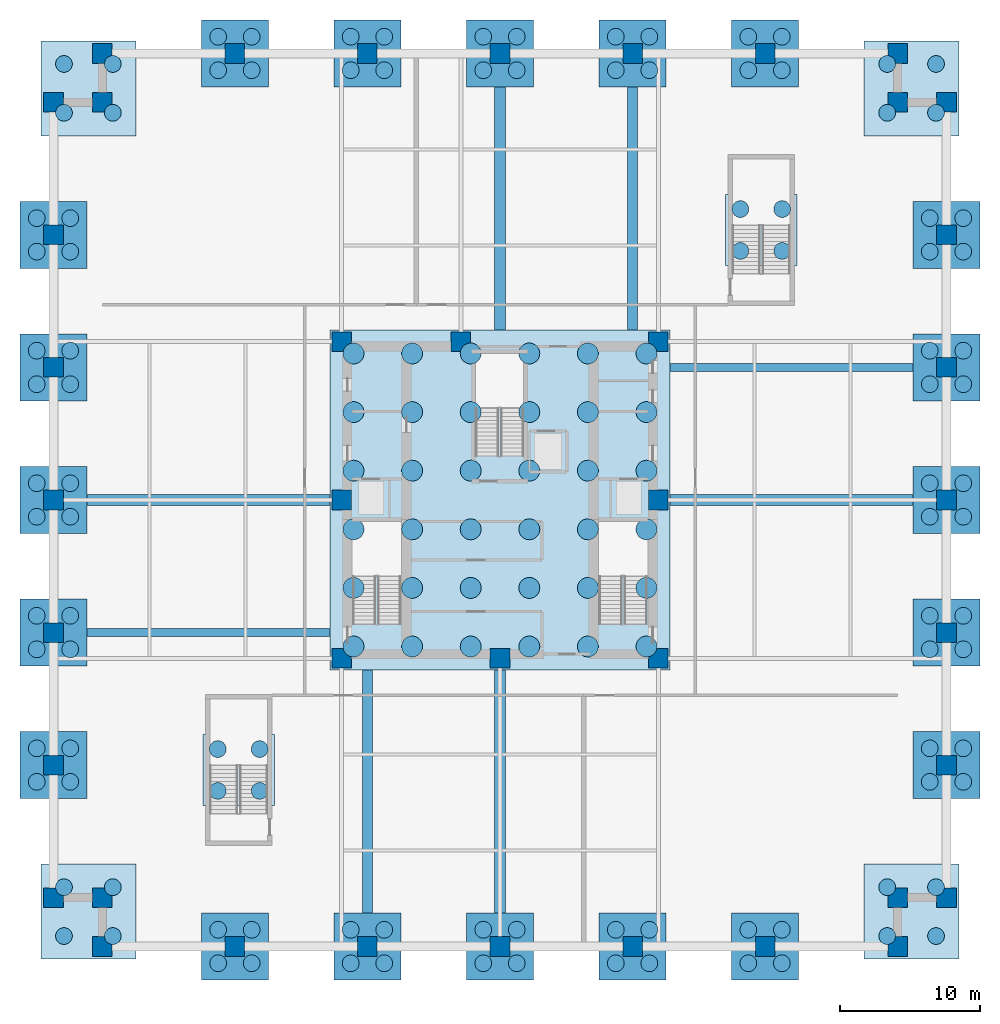
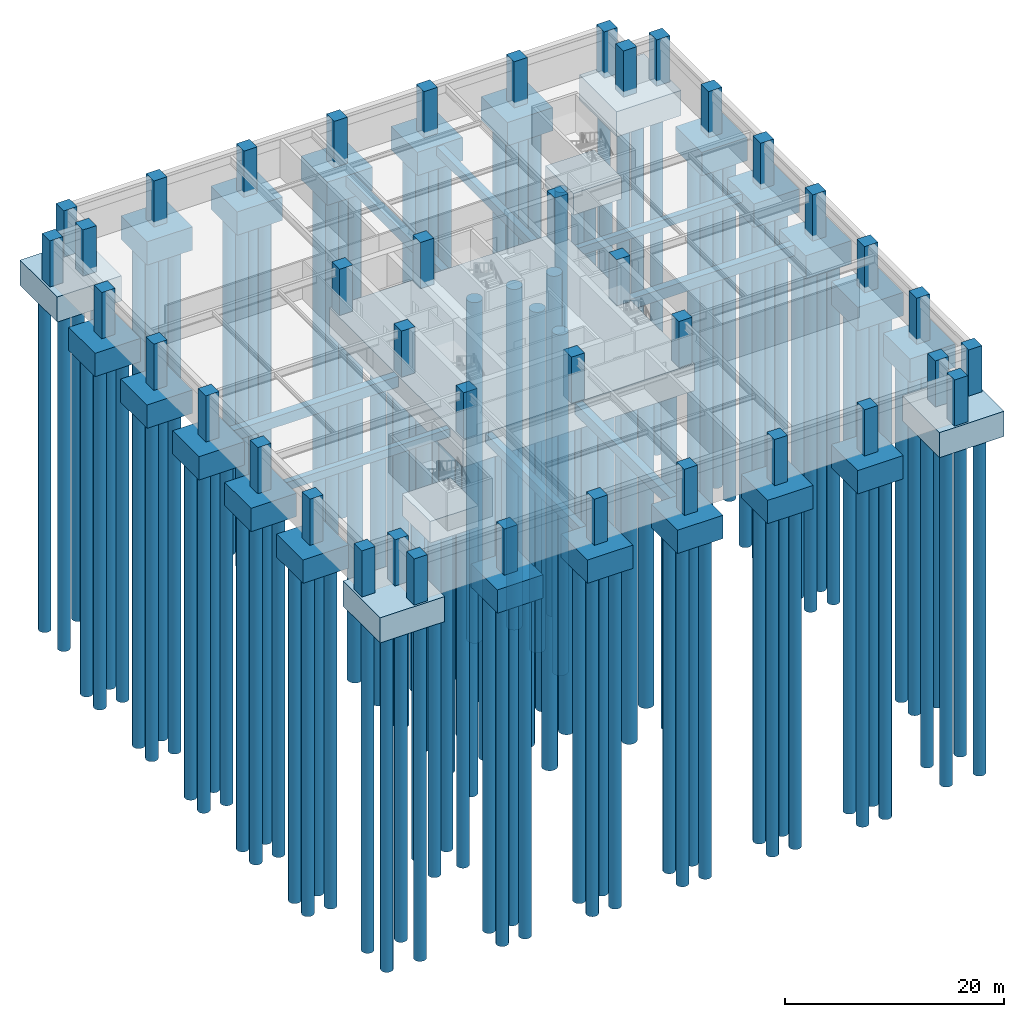
# One storey, part 1 of 8: 140 piles, 40 columns, 35 footings.
"""IFC4 building model written with IfcOpenShell, lengths in metres."""

from ifc_helpers import new_model, si_unit, direction, frame, origin, origin_2d, place, context, subcontext, project, spatial, rectangle, circle, extrude, material, material_profile, profile_set, type_object, element, save


model = new_model("IFC4")

# Units and contexts
model_context = context("Model", 3, precision=1e-05, world=origin(), true_north=direction((0.0, 1.0)))
body_context = subcontext(model_context, "Body", "Model", "MODEL_VIEW")
ifc_project = project(units=[si_unit("LENGTHUNIT", "METRE"), si_unit("AREAUNIT", "SQUARE_METRE"), si_unit("VOLUMEUNIT", "CUBIC_METRE"), si_unit("PLANEANGLEUNIT", "RADIAN"), si_unit("MASSUNIT", "GRAM", prefix="KILO")], contexts=[model_context])

# Site, building, storey
site_placement = place(None, origin())
site = spatial("IfcSite", under=ifc_project, at=site_placement, CompositionType="ELEMENT")
building_placement = place(site_placement, origin())
building = spatial("IfcBuilding", under=site, at=building_placement, Name="Nhamokura Convention Tower", CompositionType="ELEMENT")
storey_placement = place(building_placement, frame((0.0, 0.0, -9.10009765625)))
storey = spatial("IfcBuildingStorey", under=building, at=storey_placement, Name="B02", CompositionType="ELEMENT", Elevation=-9.10009765625)

# Piles
ifc_material_1 = material(Name="Concrete C45/55", Category="concrete")
ifc_material_profile_1 = material_profile(ifc_material_1, circle(Radius=0.60009765625, at=origin_2d()))
ifc_profile_set_1 = profile_set([ifc_material_profile_1], Name="Concrete C45/55")
pile_type_1 = type_object("IfcPileType", Name="BoredPile_1200", PredefinedType="BORED", material=ifc_profile_set_1)
for number, where, z_axis, x_axis, name in (
    (1, (0.75, 0.75, -3.2998046875), (0.0, 0.0, -1.0), (1.0, 0.0, 0.0), "Corner Bored Pile BP-02-037"),
    (2, (0.75, 4.25, -3.2998046875), (0.0, 0.0, -1.0), (1.0, 0.0, 0.0), "Corner Bored Pile BP-02-038"),
    (3, (4.25, 0.75, -3.2998046875), (0.0, 0.0, -1.0), (1.0, 0.0, 0.0), "Corner Bored Pile BP-02-039"),
    (4, (4.25, 4.25, -3.2998046875), (0.0, 0.0, -1.0), (1.0, 0.0, 0.0), "Corner Bored Pile BP-02-040"),
    (5, (59.75, 0.75, -3.2998046875), (0.0, 0.0, -1.0), (1.0, 0.0, 0.0), "Corner Bored Pile BP-02-041"),
    (6, (59.75, 4.25, -3.2998046875), (0.0, 0.0, -1.0), (1.0, 0.0, 0.0), "Corner Bored Pile BP-02-042"),
    (7, (63.25, 0.75, -3.2998046875), (0.0, 0.0, -1.0), (1.0, 0.0, 0.0), "Corner Bored Pile BP-02-043"),
    (8, (63.25, 4.25, -3.2998046875), (0.0, 0.0, -1.0), (1.0, 0.0, 0.0), "Corner Bored Pile BP-02-044"),
    (9, (59.75, 59.75, -3.2998046875), (0.0, 0.0, -1.0), (1.0, 0.0, 0.0), "Corner Bored Pile BP-02-045"),
    (10, (59.75, 63.25, -3.2998046875), (0.0, 0.0, -1.0), (1.0, 0.0, 0.0), "Corner Bored Pile BP-02-046"),
    (11, (63.25, 59.75, -3.2998046875), (0.0, 0.0, -1.0), (1.0, 0.0, 0.0), "Corner Bored Pile BP-02-047"),
    (12, (63.25, 63.25, -3.2998046875), (0.0, 0.0, -1.0), (1.0, 0.0, 0.0), "Corner Bored Pile BP-02-048"),
    (13, (0.75, 59.75, -3.2998046875), (0.0, 0.0, -1.0), (1.0, 0.0, 0.0), "Corner Bored Pile BP-02-049"),
    (14, (0.75, 63.25, -3.2998046875), (0.0, 0.0, -1.0), (1.0, 0.0, 0.0), "Corner Bored Pile BP-02-050"),
    (15, (4.25, 59.75, -3.2998046875), (0.0, 0.0, -1.0), (1.0, 0.0, 0.0), "Corner Bored Pile BP-02-051"),
    (16, (4.25, 63.25, -3.2998046875), (0.0, 0.0, -1.0), (1.0, 0.0, 0.0), "Corner Bored Pile BP-02-052"),
    (17, (11.800048828125, -1.199951171875, -3.099853515625), (0.0, 0.0, -1.0), (1.0, 0.0, 0.0), "Perimeter Bored Pile BP-02-053"),
    (18, (11.800048828125, 1.199951171875, -3.099853515625), (0.0, 0.0, -1.0), (1.0, 0.0, 0.0), "Perimeter Bored Pile BP-02-054"),
    (19, (14.199951171875, -1.199951171875, -3.099853515625), (0.0, 0.0, -1.0), (1.0, 0.0, 0.0), "Perimeter Bored Pile BP-02-055"),
    (20, (14.199951171875, 1.199951171875, -3.099853515625), (0.0, 0.0, -1.0), (1.0, 0.0, 0.0), "Perimeter Bored Pile BP-02-056"),
    (21, (11.800048828125, 62.800048828125, -3.099853515625), (0.0, 0.0, -1.0), (1.0, 0.0, 0.0), "Perimeter Bored Pile BP-02-057"),
    (22, (11.800048828125, 65.199951171875, -3.099853515625), (0.0, 0.0, -1.0), (1.0, 0.0, 0.0), "Perimeter Bored Pile BP-02-058"),
    (23, (14.199951171875, 62.800048828125, -3.099853515625), (0.0, 0.0, -1.0), (1.0, 0.0, 0.0), "Perimeter Bored Pile BP-02-059"),
    (24, (14.199951171875, 65.199951171875, -3.099853515625), (0.0, 0.0, -1.0), (1.0, 0.0, 0.0), "Perimeter Bored Pile BP-02-060"),
    (25, (-1.199951171875, 11.800048828125, -3.099853515625), (0.0, 0.0, -1.0), (1.0, 0.0, 0.0), "Perimeter Bored Pile BP-02-061"),
    (26, (-1.199951171875, 14.199951171875, -3.099853515625), (0.0, 0.0, -1.0), (1.0, 0.0, 0.0), "Perimeter Bored Pile BP-02-062"),
    (27, (1.199951171875, 11.800048828125, -3.099853515625), (0.0, 0.0, -1.0), (1.0, 0.0, 0.0), "Perimeter Bored Pile BP-02-063"),
    (28, (1.199951171875, 14.199951171875, -3.099853515625), (0.0, 0.0, -1.0), (1.0, 0.0, 0.0), "Perimeter Bored Pile BP-02-064"),
    (29, (62.800048828125, 11.800048828125, -3.099853515625), (0.0, 0.0, -1.0), (1.0, 0.0, 0.0), "Perimeter Bored Pile BP-02-065"),
    (30, (62.800048828125, 14.199951171875, -3.099853515625), (0.0, 0.0, -1.0), (1.0, 0.0, 0.0), "Perimeter Bored Pile BP-02-066"),
    (31, (65.199951171875, 11.800048828125, -3.099853515625), (0.0, 0.0, -1.0), (1.0, 0.0, 0.0), "Perimeter Bored Pile BP-02-067"),
    (32, (65.199951171875, 14.199951171875, -3.099853515625), (0.0, 0.0, -1.0), (1.0, 0.0, 0.0), "Perimeter Bored Pile BP-02-068"),
    (33, (21.300048828125, -1.199951171875, -3.099853515625), (0.0, 0.0, -1.0), (1.0, 0.0, 0.0), "Perimeter Bored Pile BP-02-069"),
    (34, (21.300048828125, 1.199951171875, -3.099853515625), (0.0, 0.0, -1.0), (1.0, 0.0, 0.0), "Perimeter Bored Pile BP-02-070"),
    (35, (23.699951171875, -1.199951171875, -3.099853515625), (0.0, 0.0, -1.0), (1.0, 0.0, 0.0), "Perimeter Bored Pile BP-02-071"),
    (36, (23.699951171875, 1.199951171875, -3.099853515625), (0.0, 0.0, -1.0), (1.0, 0.0, 0.0), "Perimeter Bored Pile BP-02-072"),
    (37, (21.300048828125, 62.800048828125, -3.099853515625), (0.0, 0.0, -1.0), (1.0, 0.0, 0.0), "Perimeter Bored Pile BP-02-073"),
    (38, (21.300048828125, 65.199951171875, -3.099853515625), (0.0, 0.0, -1.0), (1.0, 0.0, 0.0), "Perimeter Bored Pile BP-02-074"),
    (39, (23.699951171875, 62.800048828125, -3.099853515625), (0.0, 0.0, -1.0), (1.0, 0.0, 0.0), "Perimeter Bored Pile BP-02-075"),
    (40, (23.699951171875, 65.199951171875, -3.099853515625), (0.0, 0.0, -1.0), (1.0, 0.0, 0.0), "Perimeter Bored Pile BP-02-076"),
    (41, (-1.199951171875, 21.300048828125, -3.099853515625), (0.0, 0.0, -1.0), (1.0, 0.0, 0.0), "Perimeter Bored Pile BP-02-077"),
    (42, (-1.199951171875, 23.699951171875, -3.099853515625), (0.0, 0.0, -1.0), (1.0, 0.0, 0.0), "Perimeter Bored Pile BP-02-078"),
    (43, (1.199951171875, 21.300048828125, -3.099853515625), (0.0, 0.0, -1.0), (1.0, 0.0, 0.0), "Perimeter Bored Pile BP-02-079"),
    (44, (1.199951171875, 23.699951171875, -3.099853515625), (0.0, 0.0, -1.0), (1.0, 0.0, 0.0), "Perimeter Bored Pile BP-02-080"),
    (45, (62.800048828125, 21.300048828125, -3.099853515625), (0.0, 0.0, -1.0), (1.0, 0.0, 0.0), "Perimeter Bored Pile BP-02-081"),
    (46, (62.800048828125, 23.699951171875, -3.099853515625), (0.0, 0.0, -1.0), (1.0, 0.0, 0.0), "Perimeter Bored Pile BP-02-082"),
    (47, (65.199951171875, 21.300048828125, -3.099853515625), (0.0, 0.0, -1.0), (1.0, 0.0, 0.0), "Perimeter Bored Pile BP-02-083"),
    (48, (65.199951171875, 23.699951171875, -3.099853515625), (0.0, 0.0, -1.0), (1.0, 0.0, 0.0), "Perimeter Bored Pile BP-02-084"),
    (49, (30.800048828125, -1.199951171875, -3.099853515625), (0.0, 0.0, -1.0), (1.0, 0.0, 0.0), "Perimeter Bored Pile BP-02-085"),
    (50, (30.800048828125, 1.199951171875, -3.099853515625), (0.0, 0.0, -1.0), (1.0, 0.0, 0.0), "Perimeter Bored Pile BP-02-086"),
    (51, (33.199951171875, -1.199951171875, -3.099853515625), (0.0, 0.0, -1.0), (1.0, 0.0, 0.0), "Perimeter Bored Pile BP-02-087"),
    (52, (33.199951171875, 1.199951171875, -3.099853515625), (0.0, 0.0, -1.0), (1.0, 0.0, 0.0), "Perimeter Bored Pile BP-02-088"),
    (53, (30.800048828125, 62.800048828125, -3.099853515625), (0.0, 0.0, -1.0), (1.0, 0.0, 0.0), "Perimeter Bored Pile BP-02-089"),
    (54, (30.800048828125, 65.199951171875, -3.099853515625), (0.0, 0.0, -1.0), (1.0, 0.0, 0.0), "Perimeter Bored Pile BP-02-090"),
    (55, (33.199951171875, 62.800048828125, -3.099853515625), (0.0, 0.0, -1.0), (1.0, 0.0, 0.0), "Perimeter Bored Pile BP-02-091"),
    (56, (33.199951171875, 65.199951171875, -3.099853515625), (0.0, 0.0, -1.0), (1.0, 0.0, 0.0), "Perimeter Bored Pile BP-02-092"),
    (57, (-1.199951171875, 30.800048828125, -3.099853515625), (0.0, 0.0, -1.0), (1.0, 0.0, 0.0), "Perimeter Bored Pile BP-02-093"),
    (58, (-1.199951171875, 33.199951171875, -3.099853515625), (0.0, 0.0, -1.0), (1.0, 0.0, 0.0), "Perimeter Bored Pile BP-02-094"),
    (59, (1.199951171875, 30.800048828125, -3.099853515625), (0.0, 0.0, -1.0), (1.0, 0.0, 0.0), "Perimeter Bored Pile BP-02-095"),
    (60, (1.199951171875, 33.199951171875, -3.099853515625), (0.0, 0.0, -1.0), (1.0, 0.0, 0.0), "Perimeter Bored Pile BP-02-096"),
    (61, (62.800048828125, 30.800048828125, -3.099853515625), (0.0, 0.0, -1.0), (1.0, 0.0, 0.0), "Perimeter Bored Pile BP-02-097"),
    (62, (62.800048828125, 33.199951171875, -3.099853515625), (0.0, 0.0, -1.0), (1.0, 0.0, 0.0), "Perimeter Bored Pile BP-02-098"),
    (63, (65.199951171875, 30.800048828125, -3.099853515625), (0.0, 0.0, -1.0), (1.0, 0.0, 0.0), "Perimeter Bored Pile BP-02-099"),
    (64, (65.199951171875, 33.199951171875, -3.099853515625), (0.0, 0.0, -1.0), (1.0, 0.0, 0.0), "Perimeter Bored Pile BP-02-100"),
    (65, (40.300048828125, -1.199951171875, -3.099853515625), (0.0, 0.0, -1.0), (1.0, 0.0, 0.0), "Perimeter Bored Pile BP-02-101"),
    (66, (40.300048828125, 1.199951171875, -3.099853515625), (0.0, 0.0, -1.0), (1.0, 0.0, 0.0), "Perimeter Bored Pile BP-02-102"),
    (67, (42.699951171875, -1.199951171875, -3.099853515625), (0.0, 0.0, -1.0), (1.0, 0.0, 0.0), "Perimeter Bored Pile BP-02-103"),
    (68, (42.699951171875, 1.199951171875, -3.099853515625), (0.0, 0.0, -1.0), (1.0, 0.0, 0.0), "Perimeter Bored Pile BP-02-104"),
    (69, (40.300048828125, 62.800048828125, -3.099853515625), (0.0, 0.0, -1.0), (1.0, 0.0, 0.0), "Perimeter Bored Pile BP-02-105"),
    (70, (40.300048828125, 65.199951171875, -3.099853515625), (0.0, 0.0, -1.0), (1.0, 0.0, 0.0), "Perimeter Bored Pile BP-02-106"),
    (71, (42.699951171875, 62.800048828125, -3.099853515625), (0.0, 0.0, -1.0), (1.0, 0.0, 0.0), "Perimeter Bored Pile BP-02-107"),
    (72, (42.699951171875, 65.199951171875, -3.099853515625), (0.0, 0.0, -1.0), (1.0, 0.0, 0.0), "Perimeter Bored Pile BP-02-108"),
    (73, (-1.199951171875, 40.300048828125, -3.099853515625), (0.0, 0.0, -1.0), (1.0, 0.0, 0.0), "Perimeter Bored Pile BP-02-109"),
    (74, (-1.199951171875, 42.699951171875, -3.099853515625), (0.0, 0.0, -1.0), (1.0, 0.0, 0.0), "Perimeter Bored Pile BP-02-110"),
    (75, (1.199951171875, 40.300048828125, -3.099853515625), (0.0, 0.0, -1.0), (1.0, 0.0, 0.0), "Perimeter Bored Pile BP-02-111"),
    (76, (1.199951171875, 42.699951171875, -3.099853515625), (0.0, 0.0, -1.0), (1.0, 0.0, 0.0), "Perimeter Bored Pile BP-02-112"),
    (77, (62.800048828125, 40.300048828125, -3.099853515625), (0.0, 0.0, -1.0), (1.0, 0.0, 0.0), "Perimeter Bored Pile BP-02-113"),
    (78, (62.800048828125, 42.699951171875, -3.099853515625), (0.0, 0.0, -1.0), (1.0, 0.0, 0.0), "Perimeter Bored Pile BP-02-114"),
    (79, (65.199951171875, 40.300048828125, -3.099853515625), (0.0, 0.0, -1.0), (1.0, 0.0, 0.0), "Perimeter Bored Pile BP-02-115"),
    (80, (65.199951171875, 42.699951171875, -3.099853515625), (0.0, 0.0, -1.0), (1.0, 0.0, 0.0), "Perimeter Bored Pile BP-02-116"),
    (81, (49.800048828125, -1.199951171875, -3.099853515625), (0.0, 0.0, -1.0), (1.0, 0.0, 0.0), "Perimeter Bored Pile BP-02-117"),
    (82, (49.800048828125, 1.199951171875, -3.099853515625), (0.0, 0.0, -1.0), (1.0, 0.0, 0.0), "Perimeter Bored Pile BP-02-118"),
    (83, (52.199951171875, -1.199951171875, -3.099853515625), (0.0, 0.0, -1.0), (1.0, 0.0, 0.0), "Perimeter Bored Pile BP-02-119"),
    (84, (52.199951171875, 1.199951171875, -3.099853515625), (0.0, 0.0, -1.0), (1.0, 0.0, 0.0), "Perimeter Bored Pile BP-02-120"),
    (85, (49.800048828125, 62.800048828125, -3.099853515625), (0.0, 0.0, -1.0), (1.0, 0.0, 0.0), "Perimeter Bored Pile BP-02-121"),
    (86, (49.800048828125, 65.199951171875, -3.099853515625), (0.0, 0.0, -1.0), (1.0, 0.0, 0.0), "Perimeter Bored Pile BP-02-122"),
    (87, (52.199951171875, 62.800048828125, -3.099853515625), (0.0, 0.0, -1.0), (1.0, 0.0, 0.0), "Perimeter Bored Pile BP-02-123"),
    (88, (52.199951171875, 65.199951171875, -3.099853515625), (0.0, 0.0, -1.0), (1.0, 0.0, 0.0), "Perimeter Bored Pile BP-02-124"),
    (89, (-1.199951171875, 49.800048828125, -3.099853515625), (0.0, 0.0, -1.0), (1.0, 0.0, 0.0), "Perimeter Bored Pile BP-02-125"),
    (90, (-1.199951171875, 52.199951171875, -3.099853515625), (0.0, 0.0, -1.0), (1.0, 0.0, 0.0), "Perimeter Bored Pile BP-02-126"),
    (91, (1.199951171875, 49.800048828125, -3.099853515625), (0.0, 0.0, -1.0), (1.0, 0.0, 0.0), "Perimeter Bored Pile BP-02-127"),
    (92, (1.199951171875, 52.199951171875, -3.099853515625), (0.0, 0.0, -1.0), (1.0, 0.0, 0.0), "Perimeter Bored Pile BP-02-128"),
    (93, (62.800048828125, 49.800048828125, -3.099853515625), (0.0, 0.0, -1.0), (1.0, 0.0, 0.0), "Perimeter Bored Pile BP-02-129"),
    (94, (62.800048828125, 52.199951171875, -3.099853515625), (0.0, 0.0, -1.0), (1.0, 0.0, 0.0), "Perimeter Bored Pile BP-02-130"),
    (95, (65.199951171875, 49.800048828125, -3.099853515625), (0.0, 0.0, -1.0), (1.0, 0.0, 0.0), "Perimeter Bored Pile BP-02-131"),
    (96, (65.199951171875, 52.199951171875, -3.099853515625), (0.0, 0.0, -1.0), (1.0, 0.0, 0.0), "Perimeter Bored Pile BP-02-132"),
    (97, (11.77490234375, 11.14990234375, -2.89990234375), (0.0, 0.0, -1.0), (1.0, 0.0, 0.0), "Podium Wing Bored Pile BP-02-133"),
    (98, (11.77490234375, 14.14990234375, -2.89990234375), (0.0, 0.0, -1.0), (1.0, 0.0, 0.0), "Podium Wing Bored Pile BP-02-134"),
    (99, (14.77490234375, 11.14990234375, -2.89990234375), (0.0, 0.0, -1.0), (1.0, 0.0, 0.0), "Podium Wing Bored Pile BP-02-135"),
    (100, (14.77490234375, 14.14990234375, -2.89990234375), (0.0, 0.0, -1.0), (1.0, 0.0, 0.0), "Podium Wing Bored Pile BP-02-136"),
    (101, (49.22509765625, 49.85009765625, -2.89990234375), (0.0, 0.0, -1.0), (1.0, 0.0, 0.0), "Podium Wing Bored Pile BP-02-137"),
    (102, (49.22509765625, 52.85009765625, -2.89990234375), (0.0, 0.0, -1.0), (1.0, 0.0, 0.0), "Podium Wing Bored Pile BP-02-138"),
    (103, (52.22509765625, 49.85009765625, -2.89990234375), (0.0, 0.0, -1.0), (1.0, 0.0, 0.0), "Podium Wing Bored Pile BP-02-139"),
    (104, (52.22509765625, 52.85009765625, -2.89990234375), (0.0, 0.0, -1.0), (1.0, 0.0, 0.0), "Podium Wing Bored Pile BP-02-140"),
):
    element("IfcPile", number, at=place(storey_placement, frame(where, z_axis=z_axis, x_axis=x_axis)), inside=storey, type_object=pile_type_1, Name=name, PredefinedType="BORED", context=body_context, shape_type="SweptSolid", body=[
        extrude(circle(Radius=0.60009765625, at=origin_2d()), origin(), (0.0, 0.0, 1.0), 38.0),
    ])
ifc_material_2 = material(Name="Concrete C45/55", Category="concrete")
ifc_material_profile_2 = material_profile(ifc_material_2, circle(Radius=0.75, at=origin_2d()))
ifc_profile_set_2 = profile_set([ifc_material_profile_2], Name="Concrete C45/55")
pile_type_2 = type_object("IfcPileType", Name="BoredPile_1500", PredefinedType="BORED", material=ifc_profile_set_2)
for number, where, z_axis, x_axis, name in (
    (105, (21.5, 21.5, -3.5), (0.0, 0.0, -1.0), (1.0, 0.0, 0.0), "Core Bored Pile BP-01-001"),
    (106, (21.5, 25.699951171875, -3.5), (0.0, 0.0, -1.0), (1.0, 0.0, 0.0), "Core Bored Pile BP-01-002"),
    (107, (21.5, 29.89990234375, -3.5), (0.0, 0.0, -1.0), (1.0, 0.0, 0.0), "Core Bored Pile BP-01-003"),
    (108, (21.5, 34.10009765625, -3.5), (0.0, 0.0, -1.0), (1.0, 0.0, 0.0), "Core Bored Pile BP-01-004"),
    (109, (21.5, 38.300048828125, -3.5), (0.0, 0.0, -1.0), (1.0, 0.0, 0.0), "Core Bored Pile BP-01-005"),
    (110, (21.5, 42.5, -3.5), (0.0, 0.0, -1.0), (1.0, 0.0, 0.0), "Core Bored Pile BP-01-006"),
    (111, (25.699951171875, 21.5, -3.5), (0.0, 0.0, -1.0), (1.0, 0.0, 0.0), "Core Bored Pile BP-01-007"),
    (112, (25.699951171875, 25.699951171875, -3.5), (0.0, 0.0, -1.0), (1.0, 0.0, 0.0), "Core Bored Pile BP-01-008"),
    (113, (25.699951171875, 29.89990234375, -3.5), (0.0, 0.0, -1.0), (1.0, 0.0, 0.0), "Core Bored Pile BP-01-009"),
    (114, (25.699951171875, 34.10009765625, -3.5), (0.0, 0.0, -1.0), (1.0, 0.0, 0.0), "Core Bored Pile BP-01-010"),
    (115, (25.699951171875, 38.300048828125, -3.5), (0.0, 0.0, -1.0), (1.0, 0.0, 0.0), "Core Bored Pile BP-01-011"),
    (116, (25.699951171875, 42.5, -3.5), (0.0, 0.0, -1.0), (1.0, 0.0, 0.0), "Core Bored Pile BP-01-012"),
    (117, (29.89990234375, 21.5, -3.5), (0.0, 0.0, -1.0), (1.0, 0.0, 0.0), "Core Bored Pile BP-01-013"),
    (118, (29.89990234375, 25.699951171875, -3.5), (0.0, 0.0, -1.0), (1.0, 0.0, 0.0), "Core Bored Pile BP-01-014"),
    (119, (29.89990234375, 29.89990234375, -3.5), (0.0, 0.0, -1.0), (1.0, 0.0, 0.0), "Core Bored Pile BP-01-015"),
    (120, (29.89990234375, 34.10009765625, -3.5), (0.0, 0.0, -1.0), (1.0, 0.0, 0.0), "Core Bored Pile BP-01-016"),
    (121, (29.89990234375, 38.300048828125, -3.5), (0.0, 0.0, -1.0), (1.0, 0.0, 0.0), "Core Bored Pile BP-01-017"),
    (122, (29.89990234375, 42.5, -3.5), (0.0, 0.0, -1.0), (1.0, 0.0, 0.0), "Core Bored Pile BP-01-018"),
    (123, (34.10009765625, 21.5, -3.5), (0.0, 0.0, -1.0), (1.0, 0.0, 0.0), "Core Bored Pile BP-01-019"),
    (124, (34.10009765625, 25.699951171875, -3.5), (0.0, 0.0, -1.0), (1.0, 0.0, 0.0), "Core Bored Pile BP-01-020"),
    (125, (34.10009765625, 29.89990234375, -3.5), (0.0, 0.0, -1.0), (1.0, 0.0, 0.0), "Core Bored Pile BP-01-021"),
    (126, (34.10009765625, 34.10009765625, -3.5), (0.0, 0.0, -1.0), (1.0, 0.0, 0.0), "Core Bored Pile BP-01-022"),
    (127, (34.10009765625, 38.300048828125, -3.5), (0.0, 0.0, -1.0), (1.0, 0.0, 0.0), "Core Bored Pile BP-01-023"),
    (128, (34.10009765625, 42.5, -3.5), (0.0, 0.0, -1.0), (1.0, 0.0, 0.0), "Core Bored Pile BP-01-024"),
    (129, (38.300048828125, 21.5, -3.5), (0.0, 0.0, -1.0), (1.0, 0.0, 0.0), "Core Bored Pile BP-01-025"),
    (130, (38.300048828125, 25.699951171875, -3.5), (0.0, 0.0, -1.0), (1.0, 0.0, 0.0), "Core Bored Pile BP-01-026"),
    (131, (38.300048828125, 29.89990234375, -3.5), (0.0, 0.0, -1.0), (1.0, 0.0, 0.0), "Core Bored Pile BP-01-027"),
    (132, (38.300048828125, 34.10009765625, -3.5), (0.0, 0.0, -1.0), (1.0, 0.0, 0.0), "Core Bored Pile BP-01-028"),
    (133, (38.300048828125, 38.300048828125, -3.5), (0.0, 0.0, -1.0), (1.0, 0.0, 0.0), "Core Bored Pile BP-01-029"),
    (134, (38.300048828125, 42.5, -3.5), (0.0, 0.0, -1.0), (1.0, 0.0, 0.0), "Core Bored Pile BP-01-030"),
    (135, (42.5, 21.5, -3.5), (0.0, 0.0, -1.0), (1.0, 0.0, 0.0), "Core Bored Pile BP-01-031"),
    (136, (42.5, 25.699951171875, -3.5), (0.0, 0.0, -1.0), (1.0, 0.0, 0.0), "Core Bored Pile BP-01-032"),
    (137, (42.5, 29.89990234375, -3.5), (0.0, 0.0, -1.0), (1.0, 0.0, 0.0), "Core Bored Pile BP-01-033"),
    (138, (42.5, 34.10009765625, -3.5), (0.0, 0.0, -1.0), (1.0, 0.0, 0.0), "Core Bored Pile BP-01-034"),
    (139, (42.5, 38.300048828125, -3.5), (0.0, 0.0, -1.0), (1.0, 0.0, 0.0), "Core Bored Pile BP-01-035"),
    (140, (42.5, 42.5, -3.5), (0.0, 0.0, -1.0), (1.0, 0.0, 0.0), "Core Bored Pile BP-01-036"),
):
    element("IfcPile", number, at=place(storey_placement, frame(where, z_axis=z_axis, x_axis=x_axis)), inside=storey, type_object=pile_type_2, Name=name, PredefinedType="BORED", context=body_context, shape_type="SweptSolid", body=[
        extrude(circle(Radius=0.75, at=origin_2d()), origin(), (0.0, 0.0, 1.0), 38.0),
    ])

# Footings
ifc_material_3 = material(Name="Concrete C50/60", Category="concrete")
footing_type_1 = type_object("IfcFootingType", Name="CoreCellularCap_24x24", PredefinedType="PILE_CAP", material=ifc_material_3)
footing_placement = place(storey_placement, frame((32.0, 32.0, -3.599853515625), z_axis=(0.0, 0.0, 1.0), x_axis=(1.0, 0.0, 0.0)))
element("IfcFooting", 141, at=footing_placement, inside=storey, type_object=footing_type_1, Name="Central Core Cellular Pile Cap FC-01", PredefinedType="PILE_CAP", context=body_context, shape_type="SweptSolid", body=[
    extrude(rectangle(XDim=24.39990234375, YDim=24.39990234375, at=origin_2d()), origin(), (0.0, 0.0, 1.0), 3.0),
])
ifc_material_4 = material(Name="Concrete C50/60", Category="concrete")
footing_type_2 = type_object("IfcFootingType", Name="CornerMegaCap_5400", PredefinedType="PILE_CAP", material=ifc_material_4)
for number, where, z_axis, x_axis, name in (
    (142, (2.5, 2.5, -3.39990234375), (0.0, 0.0, 1.0), (1.0, 0.0, 0.0), "Corner Mega Pile Cap SW"),
    (143, (61.5, 2.5, -3.39990234375), (0.0, 0.0, 1.0), (1.0, 0.0, 0.0), "Corner Mega Pile Cap SE"),
    (144, (61.5, 61.5, -3.39990234375), (0.0, 0.0, 1.0), (1.0, 0.0, 0.0), "Corner Mega Pile Cap NE"),
    (145, (2.5, 61.5, -3.39990234375), (0.0, 0.0, 1.0), (1.0, 0.0, 0.0), "Corner Mega Pile Cap NW"),
):
    element("IfcFooting", number, at=place(storey_placement, frame(where, z_axis=z_axis, x_axis=x_axis)), inside=storey, type_object=footing_type_2, Name=name, PredefinedType="PILE_CAP", context=body_context, shape_type="SweptSolid", body=[
        extrude(rectangle(XDim=6.800048828125, YDim=6.800048828125, at=origin_2d()), origin(), (0.0, 0.0, 1.0), 2.800048828125),
    ])
ifc_material_5 = material(Name="Concrete C50/60", Category="concrete")
ifc_material_profile_3 = material_profile(ifc_material_5, rectangle(XDim=0.800048828125, YDim=1.199951171875, at=origin_2d()))
ifc_profile_set_3 = profile_set([ifc_material_profile_3], Name="Concrete C50/60")
footing_type_3 = type_object("IfcFootingType", Name="FootingTieBeam_1", PredefinedType="FOOTING_BEAM", material=ifc_profile_set_3)
for number, where, z_axis, x_axis, name in (
    (146, (32.0, 2.39990234375, -1.199951171875), (0.0, 1.0, 0.0), (-1.0, 0.0, 0.0), "Foundation Tie Beam FTB-S"),
    (147, (32.0, 44.199951171875, -1.199951171875), (0.0, 1.0, 0.0), (-1.0, 0.0, 0.0), "Foundation Tie Beam FTB-N"),
    (148, (2.39990234375, 32.0, -1.199951171875), (1.0, 0.0, 0.0), (0.0, 1.0, 0.0), "Foundation Tie Beam FTB-W"),
    (149, (44.199951171875, 32.0, -1.199951171875), (1.0, 0.0, 0.0), (0.0, 1.0, 0.0), "Foundation Tie Beam FTB-E"),
):
    element("IfcFooting", number, at=place(storey_placement, frame(where, z_axis=z_axis, x_axis=x_axis)), inside=storey, type_object=footing_type_3, Name=name, PredefinedType="FOOTING_BEAM", context=body_context, shape_type="SweptSolid", body=[
        extrude(rectangle(XDim=0.800048828125, YDim=1.199951171875, at=origin_2d()), origin(), (0.0, 0.0, 1.0), 17.400146484375),
    ])
ifc_material_6 = material(Name="Concrete C50/60", Category="concrete")
ifc_material_profile_4 = material_profile(ifc_material_6, rectangle(XDim=0.699951171875, YDim=1.0, at=origin_2d()))
ifc_profile_set_4 = profile_set([ifc_material_profile_4], Name="Concrete C50/60")
footing_type_4 = type_object("IfcFootingType", Name="FootingTieBeam_2", PredefinedType="FOOTING_BEAM", material=ifc_profile_set_4)
for number, where, z_axis, x_axis, name in (
    (150, (22.5, 2.39990234375, -1.199951171875), (0.0, 1.0, 0.0), (-1.0, 0.0, 0.0), "Foundation Tie Beam FTB-S2"),
    (151, (41.5, 44.199951171875, -1.199951171875), (0.0, 1.0, 0.0), (-1.0, 0.0, 0.0), "Foundation Tie Beam FTB-N2"),
):
    element("IfcFooting", number, at=place(storey_placement, frame(where, z_axis=z_axis, x_axis=x_axis)), inside=storey, type_object=footing_type_4, Name=name, PredefinedType="FOOTING_BEAM", context=body_context, shape_type="SweptSolid", body=[
        extrude(rectangle(XDim=0.699951171875, YDim=1.0, at=origin_2d()), origin(), (0.0, 0.0, 1.0), 17.400146484375),
    ])
ifc_material_7 = material(Name="Concrete C50/60", Category="concrete")
ifc_material_profile_5 = material_profile(ifc_material_7, rectangle(XDim=0.60009765625, YDim=0.89990234375, at=origin_2d()))
ifc_profile_set_5 = profile_set([ifc_material_profile_5], Name="Concrete C50/60")
footing_type_5 = type_object("IfcFootingType", Name="FootingTieBeam_3", PredefinedType="FOOTING_BEAM", material=ifc_profile_set_5)
for number, where, z_axis, x_axis, name in (
    (152, (2.39990234375, 22.5, -1.199951171875), (1.0, 0.0, 0.0), (0.0, 1.0, 0.0), "Foundation Tie Beam FTB-W2"),
    (153, (44.199951171875, 41.5, -1.199951171875), (1.0, 0.0, 0.0), (0.0, 1.0, 0.0), "Foundation Tie Beam FTB-E2"),
):
    element("IfcFooting", number, at=place(storey_placement, frame(where, z_axis=z_axis, x_axis=x_axis)), inside=storey, type_object=footing_type_5, Name=name, PredefinedType="FOOTING_BEAM", context=body_context, shape_type="SweptSolid", body=[
        extrude(rectangle(XDim=0.60009765625, YDim=0.89990234375, at=origin_2d()), origin(), (0.0, 0.0, 1.0), 17.400146484375),
    ])
ifc_material_8 = material(Name="Concrete C50/60", Category="concrete")
footing_type_6 = type_object("IfcFootingType", Name="PodiumWingCap_4200", PredefinedType="PILE_CAP", material=ifc_material_8)
for number, where, z_axis, x_axis, name in (
    (154, (13.27490234375, 12.64990234375, -2.999755859375), (0.0, 0.0, 1.0), (1.0, 0.0, 0.0), "Podium Stair Pile Cap ST04"),
    (155, (50.72509765625, 51.35009765625, -2.999755859375), (0.0, 0.0, 1.0), (1.0, 0.0, 0.0), "Podium Stair Pile Cap ST05"),
):
    element("IfcFooting", number, at=place(storey_placement, frame(where, z_axis=z_axis, x_axis=x_axis)), inside=storey, type_object=footing_type_6, Name=name, PredefinedType="PILE_CAP", context=body_context, shape_type="SweptSolid", body=[
        extrude(rectangle(XDim=5.10009765625, YDim=5.10009765625, at=origin_2d()), origin(), (0.0, 0.0, 1.0), 2.39990234375),
    ])
ifc_material_9 = material(Name="Concrete C50/60", Category="concrete")
footing_type_7 = type_object("IfcFootingType", Name="StiltMegaCap_4800", PredefinedType="PILE_CAP", material=ifc_material_9)
for number, where, z_axis, x_axis, name in (
    (156, (13.0, 0.0, -3.199951171875), (0.0, 0.0, 1.0), (1.0, 0.0, 0.0), "Perimeter Stilt Pile Cap S1"),
    (157, (13.0, 64.0, -3.199951171875), (0.0, 0.0, 1.0), (1.0, 0.0, 0.0), "Perimeter Stilt Pile Cap N1"),
    (158, (0.0, 13.0, -3.199951171875), (0.0, 0.0, 1.0), (1.0, 0.0, 0.0), "Perimeter Stilt Pile Cap W1"),
    (159, (64.0, 13.0, -3.199951171875), (0.0, 0.0, 1.0), (1.0, 0.0, 0.0), "Perimeter Stilt Pile Cap E1"),
    (160, (22.5, 0.0, -3.199951171875), (0.0, 0.0, 1.0), (1.0, 0.0, 0.0), "Perimeter Stilt Pile Cap S2"),
    (161, (22.5, 64.0, -3.199951171875), (0.0, 0.0, 1.0), (1.0, 0.0, 0.0), "Perimeter Stilt Pile Cap N2"),
    (162, (0.0, 22.5, -3.199951171875), (0.0, 0.0, 1.0), (1.0, 0.0, 0.0), "Perimeter Stilt Pile Cap W2"),
    (163, (64.0, 22.5, -3.199951171875), (0.0, 0.0, 1.0), (1.0, 0.0, 0.0), "Perimeter Stilt Pile Cap E2"),
    (164, (32.0, 0.0, -3.199951171875), (0.0, 0.0, 1.0), (1.0, 0.0, 0.0), "Perimeter Stilt Pile Cap S3"),
    (165, (32.0, 64.0, -3.199951171875), (0.0, 0.0, 1.0), (1.0, 0.0, 0.0), "Perimeter Stilt Pile Cap N3"),
    (166, (0.0, 32.0, -3.199951171875), (0.0, 0.0, 1.0), (1.0, 0.0, 0.0), "Perimeter Stilt Pile Cap W3"),
    (167, (64.0, 32.0, -3.199951171875), (0.0, 0.0, 1.0), (1.0, 0.0, 0.0), "Perimeter Stilt Pile Cap E3"),
    (168, (41.5, 0.0, -3.199951171875), (0.0, 0.0, 1.0), (1.0, 0.0, 0.0), "Perimeter Stilt Pile Cap S4"),
    (169, (41.5, 64.0, -3.199951171875), (0.0, 0.0, 1.0), (1.0, 0.0, 0.0), "Perimeter Stilt Pile Cap N4"),
    (170, (0.0, 41.5, -3.199951171875), (0.0, 0.0, 1.0), (1.0, 0.0, 0.0), "Perimeter Stilt Pile Cap W4"),
    (171, (64.0, 41.5, -3.199951171875), (0.0, 0.0, 1.0), (1.0, 0.0, 0.0), "Perimeter Stilt Pile Cap E4"),
    (172, (51.0, 0.0, -3.199951171875), (0.0, 0.0, 1.0), (1.0, 0.0, 0.0), "Perimeter Stilt Pile Cap S5"),
    (173, (51.0, 64.0, -3.199951171875), (0.0, 0.0, 1.0), (1.0, 0.0, 0.0), "Perimeter Stilt Pile Cap N5"),
    (174, (0.0, 51.0, -3.199951171875), (0.0, 0.0, 1.0), (1.0, 0.0, 0.0), "Perimeter Stilt Pile Cap W5"),
    (175, (64.0, 51.0, -3.199951171875), (0.0, 0.0, 1.0), (1.0, 0.0, 0.0), "Perimeter Stilt Pile Cap E5"),
):
    element("IfcFooting", number, at=place(storey_placement, frame(where, z_axis=z_axis, x_axis=x_axis)), inside=storey, type_object=footing_type_7, Name=name, PredefinedType="PILE_CAP", context=body_context, shape_type="SweptSolid", body=[
        extrude(rectangle(XDim=4.800048828125, YDim=4.800048828125, at=origin_2d()), origin(), (0.0, 0.0, 1.0), 2.60009765625),
    ])

# Columns
ifc_material_10 = material(Name="Concrete C70/85", Category="concrete")
ifc_material_profile_6 = material_profile(ifc_material_10, rectangle(XDim=1.39990234375, YDim=1.39990234375, at=origin_2d()))
ifc_profile_set_6 = profile_set([ifc_material_profile_6], Name="Concrete C70/85")
column_type = type_object("IfcColumnType", Name="TubeColumn_B_1400", PredefinedType="COLUMN", material=ifc_profile_set_6)
for number, where, z_axis, x_axis, name in (
    (176, (20.64990234375, 20.64990234375, -0.599853515625), (0.0, 0.0, 1.0), (1.0, 0.0, 0.0), "B02 Core Column CC-SW"),
    (177, (32.0, 20.64990234375, -0.599853515625), (0.0, 0.0, 1.0), (1.0, 0.0, 0.0), "B02 Core Column CC-S"),
    (178, (43.35009765625, 20.64990234375, -0.599853515625), (0.0, 0.0, 1.0), (1.0, 0.0, 0.0), "B02 Core Column CC-SE"),
    (179, (43.35009765625, 32.0, -0.599853515625), (0.0, 0.0, 1.0), (1.0, 0.0, 0.0), "B02 Core Column CC-E"),
    (180, (43.35009765625, 43.35009765625, -0.599853515625), (0.0, 0.0, 1.0), (1.0, 0.0, 0.0), "B02 Core Column CC-NE"),
    (181, (29.199951171875, 43.35009765625, -0.599853515625), (0.0, 0.0, 1.0), (1.0, 0.0, 0.0), "B02 Core Column CC-N"),
    (182, (20.64990234375, 43.35009765625, -0.599853515625), (0.0, 0.0, 1.0), (1.0, 0.0, 0.0), "B02 Core Column CC-NW"),
    (183, (20.64990234375, 32.0, -0.599853515625), (0.0, 0.0, 1.0), (1.0, 0.0, 0.0), "B02 Core Column CC-W"),
    (184, (3.5, 0.0, -0.599853515625), (0.0, 0.0, 1.0), (1.0, 0.0, 0.0), "B02 Perimeter Tube Column SW1"),
    (185, (3.5, 3.5, -0.599853515625), (0.0, 0.0, 1.0), (1.0, 0.0, 0.0), "B02 Perimeter Tube Column SW0"),
    (186, (0.0, 3.5, -0.599853515625), (0.0, 0.0, 1.0), (1.0, 0.0, 0.0), "B02 Perimeter Tube Column SW2"),
    (187, (60.5, 0.0, -0.599853515625), (0.0, 0.0, 1.0), (1.0, 0.0, 0.0), "B02 Perimeter Tube Column SE1"),
    (188, (60.5, 3.5, -0.599853515625), (0.0, 0.0, 1.0), (1.0, 0.0, 0.0), "B02 Perimeter Tube Column SE0"),
    (189, (64.0, 3.5, -0.599853515625), (0.0, 0.0, 1.0), (1.0, 0.0, 0.0), "B02 Perimeter Tube Column SE2"),
    (190, (64.0, 60.5, -0.599853515625), (0.0, 0.0, 1.0), (1.0, 0.0, 0.0), "B02 Perimeter Tube Column NE1"),
    (191, (60.5, 60.5, -0.599853515625), (0.0, 0.0, 1.0), (1.0, 0.0, 0.0), "B02 Perimeter Tube Column NE0"),
    (192, (60.5, 64.0, -0.599853515625), (0.0, 0.0, 1.0), (1.0, 0.0, 0.0), "B02 Perimeter Tube Column NE2"),
    (193, (3.5, 64.0, -0.599853515625), (0.0, 0.0, 1.0), (1.0, 0.0, 0.0), "B02 Perimeter Tube Column NW1"),
    (194, (3.5, 60.5, -0.599853515625), (0.0, 0.0, 1.0), (1.0, 0.0, 0.0), "B02 Perimeter Tube Column NW0"),
    (195, (0.0, 60.5, -0.599853515625), (0.0, 0.0, 1.0), (1.0, 0.0, 0.0), "B02 Perimeter Tube Column NW2"),
    (196, (13.0, 0.0, -0.599853515625), (0.0, 0.0, 1.0), (1.0, 0.0, 0.0), "B02 Perimeter Tube Column S1"),
    (197, (13.0, 64.0, -0.599853515625), (0.0, 0.0, 1.0), (1.0, 0.0, 0.0), "B02 Perimeter Tube Column N1"),
    (198, (0.0, 13.0, -0.599853515625), (0.0, 0.0, 1.0), (1.0, 0.0, 0.0), "B02 Perimeter Tube Column W1"),
    (199, (64.0, 13.0, -0.599853515625), (0.0, 0.0, 1.0), (1.0, 0.0, 0.0), "B02 Perimeter Tube Column E1"),
    (200, (22.5, 0.0, -0.599853515625), (0.0, 0.0, 1.0), (1.0, 0.0, 0.0), "B02 Perimeter Tube Column S2"),
    (201, (22.5, 64.0, -0.599853515625), (0.0, 0.0, 1.0), (1.0, 0.0, 0.0), "B02 Perimeter Tube Column N2"),
    (202, (0.0, 22.5, -0.599853515625), (0.0, 0.0, 1.0), (1.0, 0.0, 0.0), "B02 Perimeter Tube Column W2"),
    (203, (64.0, 22.5, -0.599853515625), (0.0, 0.0, 1.0), (1.0, 0.0, 0.0), "B02 Perimeter Tube Column E2"),
    (204, (32.0, 0.0, -0.599853515625), (0.0, 0.0, 1.0), (1.0, 0.0, 0.0), "B02 Perimeter Tube Column S3"),
    (205, (32.0, 64.0, -0.599853515625), (0.0, 0.0, 1.0), (1.0, 0.0, 0.0), "B02 Perimeter Tube Column N3"),
    (206, (0.0, 32.0, -0.599853515625), (0.0, 0.0, 1.0), (1.0, 0.0, 0.0), "B02 Perimeter Tube Column W3"),
    (207, (64.0, 32.0, -0.599853515625), (0.0, 0.0, 1.0), (1.0, 0.0, 0.0), "B02 Perimeter Tube Column E3"),
    (208, (41.5, 0.0, -0.599853515625), (0.0, 0.0, 1.0), (1.0, 0.0, 0.0), "B02 Perimeter Tube Column S4"),
    (209, (41.5, 64.0, -0.599853515625), (0.0, 0.0, 1.0), (1.0, 0.0, 0.0), "B02 Perimeter Tube Column N4"),
    (210, (0.0, 41.5, -0.599853515625), (0.0, 0.0, 1.0), (1.0, 0.0, 0.0), "B02 Perimeter Tube Column W4"),
    (211, (64.0, 41.5, -0.599853515625), (0.0, 0.0, 1.0), (1.0, 0.0, 0.0), "B02 Perimeter Tube Column E4"),
    (212, (51.0, 0.0, -0.599853515625), (0.0, 0.0, 1.0), (1.0, 0.0, 0.0), "B02 Perimeter Tube Column S5"),
    (213, (51.0, 64.0, -0.599853515625), (0.0, 0.0, 1.0), (1.0, 0.0, 0.0), "B02 Perimeter Tube Column N5"),
    (214, (0.0, 51.0, -0.599853515625), (0.0, 0.0, 1.0), (1.0, 0.0, 0.0), "B02 Perimeter Tube Column W5"),
    (215, (64.0, 51.0, -0.599853515625), (0.0, 0.0, 1.0), (1.0, 0.0, 0.0), "B02 Perimeter Tube Column E5"),
):
    element("IfcColumn", number, at=place(storey_placement, frame(where, z_axis=z_axis, x_axis=x_axis)), inside=storey, type_object=column_type, Name=name, PredefinedType="COLUMN", context=body_context, shape_type="SweptSolid", body=[
        extrude(rectangle(XDim=1.39990234375, YDim=1.39990234375, at=origin_2d()), origin(), (0.0, 0.0, 1.0), 5.14990234375),
    ])

save(model, "model.ifc")
